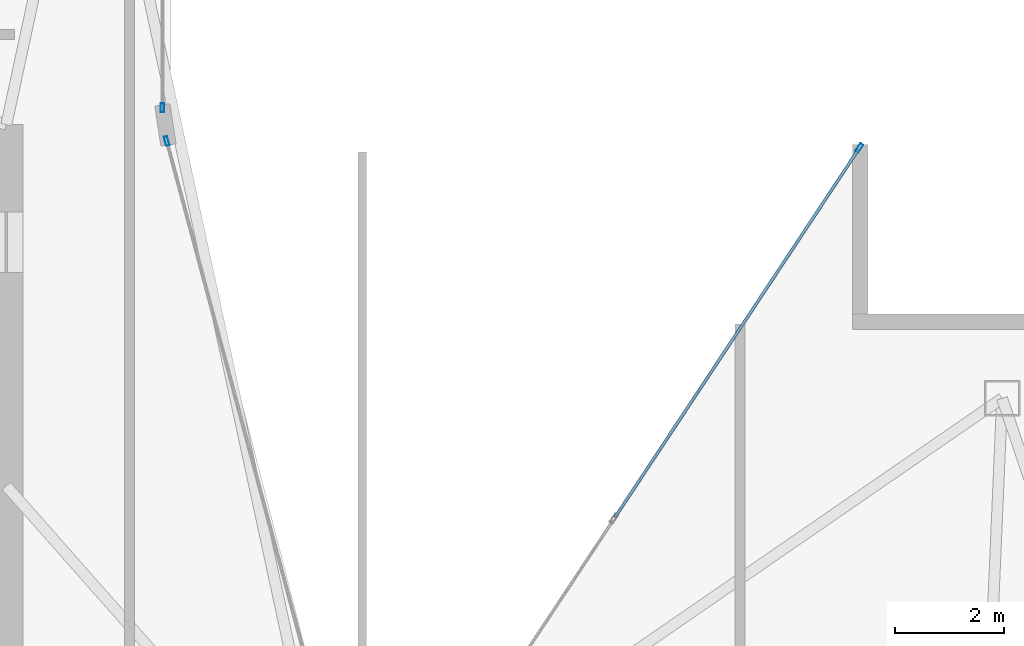
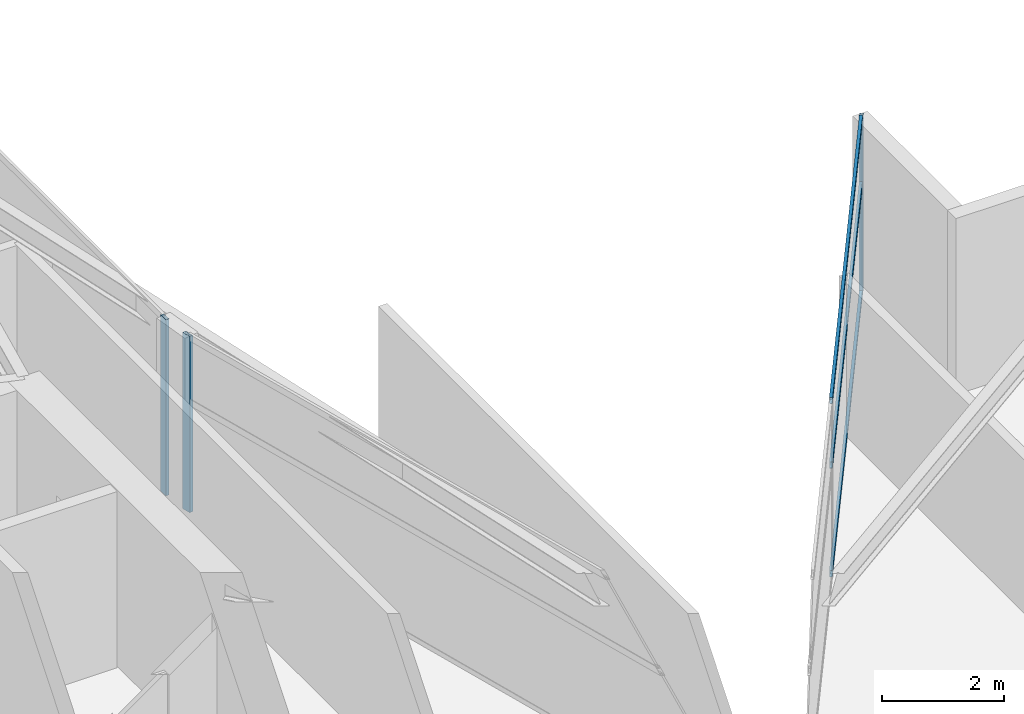
# One storey, part 18 of 27: 6 members, 3 elements without a shape of their own.
"""IFC4 building model written with IfcOpenShell, lengths in metres."""

from ifc_helpers import new_model, si_unit, direction, frame, origin, origin_2d, place, context, subcontext, project, spatial, hollow_rectangle, extrude, material, layer, layer_set, material_profile, profile_set, type_object, element, aggregate, save


model = new_model("IFC4")

# Units and contexts
model_context = context("Model", 3, precision=1e-05, world=origin(), true_north=direction((0.0, 1.0)))
body_context = subcontext(model_context, "Body", "Model", "MODEL_VIEW")
ifc_project = project(units=[si_unit("LENGTHUNIT", "METRE"), si_unit("AREAUNIT", "SQUARE_METRE"), si_unit("VOLUMEUNIT", "CUBIC_METRE"), si_unit("PLANEANGLEUNIT", "RADIAN"), si_unit("MASSUNIT", "GRAM", prefix="KILO")], contexts=[model_context])

# Site, building, storey
site_placement = place(None, origin())
site = spatial("IfcSite", under=ifc_project, at=site_placement, CompositionType="ELEMENT")
building_placement = place(site_placement, origin())
building = spatial("IfcBuilding", under=site, at=building_placement, Name="Calvorn Quay Hotel", CompositionType="ELEMENT")
storey_placement = place(building_placement, frame((0.0, 0.0, 278.699951171875)))
storey = spatial("IfcBuildingStorey", under=building, at=storey_placement, Name="L69", CompositionType="ELEMENT", Elevation=278.699951171875)

# Curtain wall, member
ifc_material_1 = material(Name="Champagne Bronze Anodised Aluminium and Low-E Glass", Category="aluminium")
ifc_layer = layer(ifc_material_1, 0.219970703125)
ifc_layer_set = layer_set([ifc_layer], Name="CW-SYS-Z4")
curtain_wall_type = type_object("IfcCurtainWallType", Name="CW-SYS-Z4", PredefinedType="NOTDEFINED", material=ifc_layer_set)
curtain_wall_1_placement = place(storey_placement, origin())
curtain_wall_1 = element("IfcCurtainWall", 1, at=curtain_wall_1_placement, inside=storey, type_object=curtain_wall_type, Name="Inner Court Curtain Wall L69-NE1", PredefinedType="NOTDEFINED")
ifc_material_2 = material(Name="Champagne Bronze Anodised Aluminium 6063-T6", Category="aluminium")
ifc_material_profile_1 = material_profile(ifc_material_2, hollow_rectangle(XDim=0.06494140625, YDim=0.169921875, WallThickness=0.00341796875, at=origin_2d()), Name="ALU-M170x65x3.5")
ifc_profile_set_1 = profile_set([ifc_material_profile_1], Name="Champagne Bronze Anodised Aluminium 6063-T6")
member_type_1 = type_object("IfcMemberType", Name="CW-SYS-Z4-MUL", PredefinedType="MULLION", material=ifc_profile_set_1)
member_1_placement = place(storey_placement, frame((30.58349609375, 37.97509765625, 0.0), z_axis=(0.0, 0.0, 1.0), x_axis=(0.833932205724, -0.551866900852, 0.0)))
member_1 = element("IfcMember", 2, at=member_1_placement, type_object=member_type_1, Name="CW-L69-NE1 mullion 1", PredefinedType="MULLION", context=body_context, shape_type="SweptSolid", body=[
    extrude(hollow_rectangle(XDim=0.06494140625, YDim=0.169921875, WallThickness=0.00341796875, at=origin_2d()), origin(), (0.0, 0.0, 1.0), 3.52001953125),
])

curtain_wall_2_placement = place(storey_placement, origin())
curtain_wall_2 = element("IfcCurtainWall", 3, at=curtain_wall_2_placement, inside=storey, type_object=curtain_wall_type, Name="Inner Court Curtain Wall L69-IC1", PredefinedType="NOTDEFINED")
member_2_placement = place(storey_placement, frame((17.9296875, 38.10107421875, 0.0), z_axis=(0.0, 0.0, 1.0), x_axis=(-0.96593652056, -0.25877913024, 0.0)))
member_2 = element("IfcMember", 4, at=member_2_placement, type_object=member_type_1, Name="CW-L69-IC1 mullion 2", PredefinedType="MULLION", context=body_context, shape_type="SweptSolid", body=[
    extrude(hollow_rectangle(XDim=0.06494140625, YDim=0.169921875, WallThickness=0.00341796875, at=origin_2d()), origin(), (0.0, 0.0, 1.0), 3.52001953125),
])
aggregate(curtain_wall_2, [member_2])

curtain_wall_3_placement = place(storey_placement, origin())
curtain_wall_3 = element("IfcCurtainWall", 5, at=curtain_wall_3_placement, inside=storey, type_object=curtain_wall_type, Name="Inner Court Curtain Wall L69-IC2", PredefinedType="NOTDEFINED")
member_3_placement = place(storey_placement, frame((17.85009765625, 38.7099609375, 0.0), z_axis=(0.0, 0.0, 1.0), x_axis=(-1.0, 0.0, 0.0)))
member_3 = element("IfcMember", 6, at=member_3_placement, type_object=member_type_1, Name="CW-L69-IC2 mullion 1", PredefinedType="MULLION", context=body_context, shape_type="SweptSolid", body=[
    extrude(hollow_rectangle(XDim=0.06494140625, YDim=0.169921875, WallThickness=0.00341796875, at=origin_2d()), origin(), (0.0, 0.0, 1.0), 3.52001953125),
])
aggregate(curtain_wall_3, [member_3])

# Member
ifc_material_3 = material(Name="Champagne Bronze Anodised Aluminium 6063-T6", Category="aluminium")
ifc_material_profile_2 = material_profile(ifc_material_3, hollow_rectangle(XDim=0.054931640625, YDim=0.1298828125, WallThickness=0.003173828125, at=origin_2d()), Name="ALU-T130x55x3.2")
ifc_profile_set_2 = profile_set([ifc_material_profile_2], Name="Champagne Bronze Anodised Aluminium 6063-T6")
member_type_2 = type_object("IfcMemberType", Name="CW-SYS-Z4-TRN", PredefinedType="USERDEFINED", material=ifc_profile_set_2)
member_4_placement = place(storey_placement, frame((30.56689453125, 37.949951171875, 0.030029296875), z_axis=(-0.551881453123, -0.833922575362, 0.0), x_axis=(0.833922575362, -0.551881453123, 0.0)))
member_4 = element("IfcMember", 7, at=member_4_placement, type_object=member_type_2, Name="CW-L69-NE1 transom 1.1", ObjectType="TRANSOM", PredefinedType="USERDEFINED", context=body_context, shape_type="SweptSolid", body=[
    extrude(hollow_rectangle(XDim=0.054931640625, YDim=0.1298828125, WallThickness=0.003173828125, at=origin_2d()), origin(), (0.0, 0.0, 1.0), 8.064208984375),
])

member_5_placement = place(storey_placement, frame((30.56689453125, 37.949951171875, 2.199951171875), z_axis=(-0.551881453123, -0.833922575362, 0.0), x_axis=(0.833922575362, -0.551881453123, 0.0)))
member_5 = element("IfcMember", 8, at=member_5_placement, type_object=member_type_2, Name="CW-L69-NE1 transom 1.2", ObjectType="TRANSOM", PredefinedType="USERDEFINED", context=body_context, shape_type="SweptSolid", body=[
    extrude(hollow_rectangle(XDim=0.054931640625, YDim=0.1298828125, WallThickness=0.003173828125, at=origin_2d()), origin(), (0.0, 0.0, 1.0), 8.064208984375),
])

member_6_placement = place(storey_placement, frame((30.56689453125, 37.949951171875, 3.489990234375), z_axis=(-0.551881453123, -0.833922575362, 0.0), x_axis=(0.833922575362, -0.551881453123, 0.0)))
member_6 = element("IfcMember", 9, at=member_6_placement, type_object=member_type_2, Name="CW-L69-NE1 transom 1.3", ObjectType="TRANSOM", PredefinedType="USERDEFINED", context=body_context, shape_type="SweptSolid", body=[
    extrude(hollow_rectangle(XDim=0.054931640625, YDim=0.1298828125, WallThickness=0.003173828125, at=origin_2d()), origin(), (0.0, 0.0, 1.0), 8.064208984375),
])

aggregate(curtain_wall_1, [member_1, member_4, member_5, member_6])

save(model, "model.ifc")
